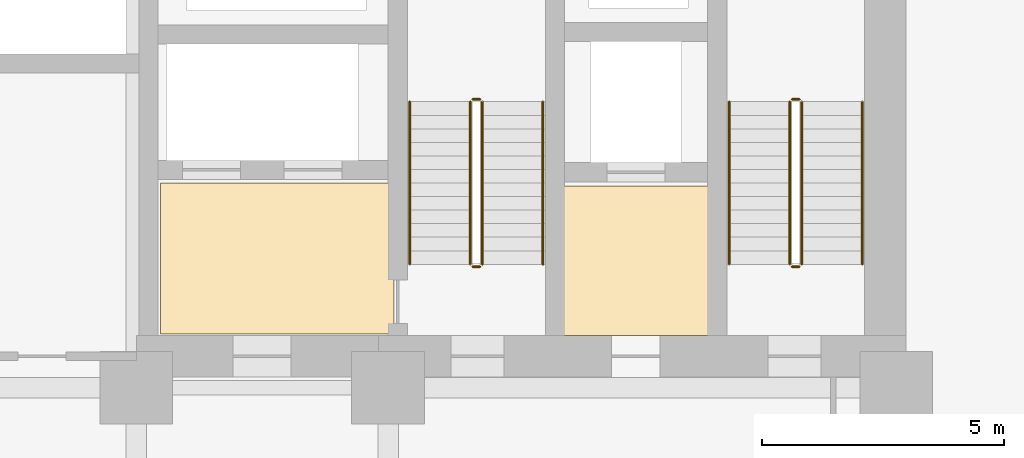
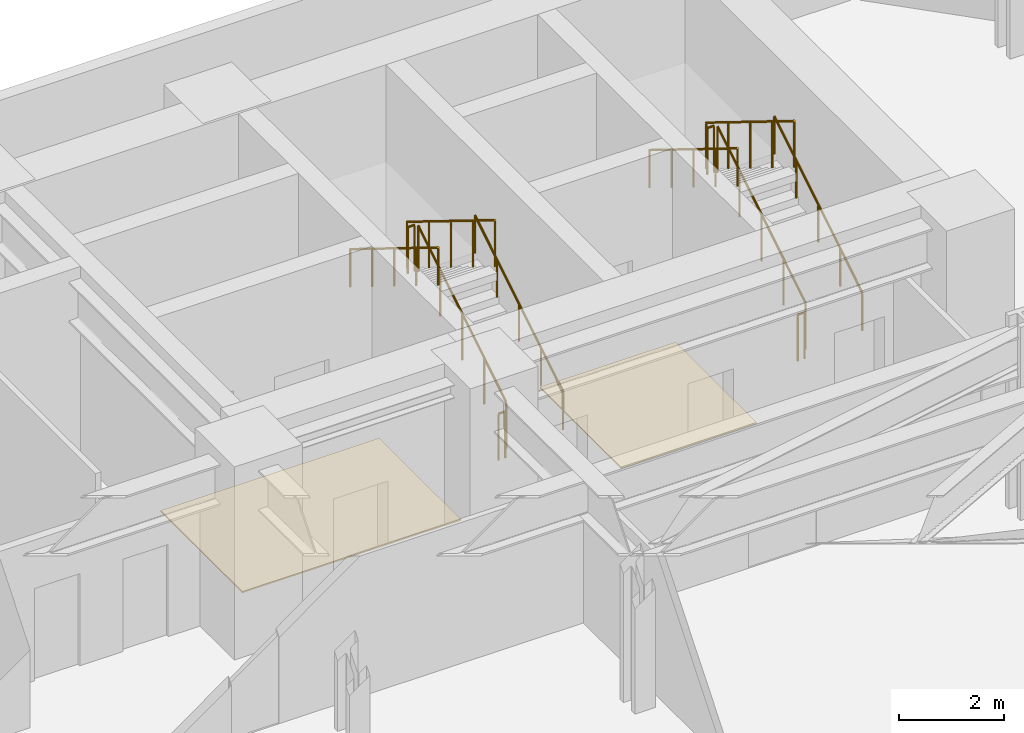
# One storey, part 28 of 28: 12 railings, 2 coverings.
"""IFC4 building model written with IfcOpenShell, lengths in metres."""

from ifc_helpers import new_model, si_unit, direction, frame, origin, origin_2d, place, context, subcontext, project, spatial, polyline, circle, outline, extrude, material, layer, layer_set, type_object, element, save


model = new_model("IFC4")

# Units and contexts
model_context = context("Model", 3, precision=1e-05, world=origin(), true_north=direction((0.0, 1.0)))
body_context = subcontext(model_context, "Body", "Model", "MODEL_VIEW")
ifc_project = project(units=[si_unit("LENGTHUNIT", "METRE"), si_unit("AREAUNIT", "SQUARE_METRE"), si_unit("VOLUMEUNIT", "CUBIC_METRE"), si_unit("PLANEANGLEUNIT", "RADIAN"), si_unit("MASSUNIT", "GRAM", prefix="KILO")], contexts=[model_context])

# Site, building, storey
site_placement = place(None, origin())
site = spatial("IfcSite", under=ifc_project, at=site_placement, CompositionType="ELEMENT")
building_placement = place(site_placement, origin())
building = spatial("IfcBuilding", under=site, at=building_placement, Name="Kravanh Interchange Tower", CompositionType="ELEMENT")
storey_placement = place(building_placement, frame((0.0, 0.0, 15.300048828125)))
storey = spatial("IfcBuildingStorey", under=building, at=storey_placement, Name="L03", CompositionType="ELEMENT", Elevation=15.300048828125)

# Coverings
ifc_material_1 = material(Name="Cementitious Terrazzo Tile")
ifc_layer_1 = layer(ifc_material_1, 0.030029296875)
ifc_layer_set_1 = layer_set([ifc_layer_1], Name="Honed Terrazzo Lobby Flooring 30mm")
covering_type = type_object("IfcCoveringType", Name="Honed Terrazzo Lobby Flooring 30mm", PredefinedType="FLOORING", material=ifc_layer_set_1)
covering_1_placement = place(storey_placement, origin())
element("IfcCovering", 1, at=covering_1_placement, inside=storey, type_object=covering_type, Name="L03 Service Lift Lobby Floor Finish", PredefinedType="FLOORING", context=body_context, shape_type="SweptSolid", body=[
    extrude(outline(polyline([(59.6298828125, 41.52001953125), (62.6201171875, 41.52001953125), (62.6201171875, 38.429931640625), (59.6298828125, 38.429931640625), (59.6298828125, 41.52001953125)])), origin(), (0.0, 0.0, 1.0), 0.030029296875),
])
covering_2_placement = place(storey_placement, origin())
element("IfcCovering", 2, at=covering_2_placement, inside=storey, type_object=covering_type, Name="L03 Firefighting Lobby Floor Finish", PredefinedType="FLOORING", context=body_context, shape_type="SweptSolid", body=[
    extrude(outline(polyline([(56.1201171875, 38.4599609375), (51.300048828125, 38.4599609375), (51.300048828125, 41.580078125), (56.1201171875, 41.580078125), (56.1201171875, 38.4599609375)])), origin(), (0.0, 0.0, 1.0), 0.030029296875),
])

# Railings
ifc_material_2 = material(Name="Structural Steel S355", Category="steel")
ifc_layer_2 = layer(ifc_material_2, 0.050048828125)
ifc_layer_set_2 = layer_set([ifc_layer_2], Name="Stair Well Guardrail Structural Steel S355 1100mm")
railing_type_1 = type_object("IfcRailingType", Name="Stair Well Guardrail Structural Steel S355 1100mm", PredefinedType="GUARDRAIL", material=ifc_layer_set_2)
railing_1_placement = place(storey_placement, frame((64.550048828125, 39.89990234375, 0.173095703125)))
element("IfcRailing", 3, at=railing_1_placement, inside=storey, type_object=railing_type_1, Name="L03 ST1 stair guard 1", PredefinedType="GUARDRAIL", context=body_context, shape_type="SweptSolid", body=[
    extrude(circle(Radius=0.02392578125, at=origin_2d()), frame((0.0, 0.0, 1.076171875), z_axis=(0.0, 0.850623216509, 0.525775754039), x_axis=(-1.0, 0.0, 0.0)), (0.0, 0.0, 1.0), 3.9501953125),
    extrude(circle(Radius=0.02099609375, at=origin_2d()), origin(), (0.0, 0.0, 1.0), 1.052001953125),
    extrude(circle(Radius=0.02099609375, at=origin_2d()), frame((0.0, 0.840087890625, 0.519287109375)), (0.0, 0.0, 1.0), 1.052001953125),
    extrude(circle(Radius=0.02099609375, at=origin_2d()), frame((0.0, 1.68017578125, 1.03857421875)), (0.0, 0.0, 1.0), 1.052001953125),
    extrude(circle(Radius=0.02099609375, at=origin_2d()), frame((0.0, 2.52001953125, 1.5576171875)), (0.0, 0.0, 1.0), 1.052001953125),
    extrude(circle(Radius=0.02099609375, at=origin_2d()), frame((0.0, 3.360107421875, 2.076904296875)), (0.0, 0.0, 1.0), 1.052001953125),
])
railing_2_placement = place(storey_placement, frame((64.5, 43.31005859375, 2.25)))
element("IfcRailing", 4, at=railing_2_placement, inside=storey, type_object=railing_type_1, Name="L03 ST1 stair guard 2", PredefinedType="GUARDRAIL", context=body_context, shape_type="SweptSolid", body=[
    extrude(circle(Radius=0.02392578125, at=origin_2d()), frame((0.0, 0.0, 1.076171875), z_axis=(-1.0, 0.0, 0.0), x_axis=(0.0, -1.0, 0.0)), (0.0, 0.0, 1.0), 0.14990234375),
    extrude(circle(Radius=0.02099609375, at=origin_2d()), origin(), (0.0, 0.0, 1.0), 1.052001953125),
    extrude(circle(Radius=0.02099609375, at=origin_2d()), frame((-0.14990234375, 0.0, 0.0)), (0.0, 0.0, 1.0), 1.052001953125),
])
railing_3_placement = place(storey_placement, frame((64.300048828125, 43.260009765625, 2.423095703125)))
element("IfcRailing", 5, at=railing_3_placement, inside=storey, type_object=railing_type_1, Name="L03 ST1 stair guard 3", PredefinedType="GUARDRAIL", context=body_context, shape_type="SweptSolid", body=[
    extrude(circle(Radius=0.02392578125, at=origin_2d()), frame((0.0, 0.0, 1.076171875), z_axis=(0.0, -0.850623216509, 0.525775754039), x_axis=(1.0, 0.0, 0.0)), (0.0, 0.0, 1.0), 3.9501953125),
    extrude(circle(Radius=0.02099609375, at=origin_2d()), origin(), (0.0, 0.0, 1.0), 1.052001953125),
    extrude(circle(Radius=0.02099609375, at=origin_2d()), frame((0.0, -0.840087890625, 0.519287109375)), (0.0, 0.0, 1.0), 1.052001953125),
    extrude(circle(Radius=0.02099609375, at=origin_2d()), frame((0.0, -1.68017578125, 1.03857421875)), (0.0, 0.0, 1.0), 1.052001953125),
    extrude(circle(Radius=0.02099609375, at=origin_2d()), frame((0.0, -2.52001953125, 1.5576171875)), (0.0, 0.0, 1.0), 1.052001953125),
    extrude(circle(Radius=0.02099609375, at=origin_2d()), frame((0.0, -3.360107421875, 2.076904296875)), (0.0, 0.0, 1.0), 1.052001953125),
])
railing_4_placement = place(storey_placement, frame((64.5, 39.85009765625, 0.0)))
element("IfcRailing", 6, at=railing_4_placement, inside=storey, type_object=railing_type_1, Name="L03 ST1 stair guard 4", PredefinedType="GUARDRAIL", context=body_context, shape_type="SweptSolid", body=[
    extrude(circle(Radius=0.02392578125, at=origin_2d()), frame((0.0, 0.0, 1.076171875), z_axis=(-1.0, 0.0, 0.0), x_axis=(0.0, -1.0, 0.0)), (0.0, 0.0, 1.0), 0.14990234375),
    extrude(circle(Radius=0.02099609375, at=origin_2d()), origin(), (0.0, 0.0, 1.0), 1.052001953125),
    extrude(circle(Radius=0.02099609375, at=origin_2d()), frame((-0.14990234375, 0.0, 0.0)), (0.0, 0.0, 1.0), 1.052001953125),
])
railing_5_placement = place(storey_placement, frame((57.949951171875, 39.89990234375, 0.173095703125)))
element("IfcRailing", 7, at=railing_5_placement, inside=storey, type_object=railing_type_1, Name="L03 ST2 stair guard 1", PredefinedType="GUARDRAIL", context=body_context, shape_type="SweptSolid", body=[
    extrude(circle(Radius=0.02392578125, at=origin_2d()), frame((0.0, 0.0, 1.076171875), z_axis=(0.0, 0.850623216509, 0.525775754039), x_axis=(-1.0, 0.0, 0.0)), (0.0, 0.0, 1.0), 3.9501953125),
    extrude(circle(Radius=0.02099609375, at=origin_2d()), origin(), (0.0, 0.0, 1.0), 1.052001953125),
    extrude(circle(Radius=0.02099609375, at=origin_2d()), frame((0.0, 0.840087890625, 0.519287109375)), (0.0, 0.0, 1.0), 1.052001953125),
    extrude(circle(Radius=0.02099609375, at=origin_2d()), frame((0.0, 1.68017578125, 1.03857421875)), (0.0, 0.0, 1.0), 1.052001953125),
    extrude(circle(Radius=0.02099609375, at=origin_2d()), frame((0.0, 2.52001953125, 1.5576171875)), (0.0, 0.0, 1.0), 1.052001953125),
    extrude(circle(Radius=0.02099609375, at=origin_2d()), frame((0.0, 3.360107421875, 2.076904296875)), (0.0, 0.0, 1.0), 1.052001953125),
])
railing_6_placement = place(storey_placement, frame((57.89990234375, 43.31005859375, 2.25)))
element("IfcRailing", 8, at=railing_6_placement, inside=storey, type_object=railing_type_1, Name="L03 ST2 stair guard 2", PredefinedType="GUARDRAIL", context=body_context, shape_type="SweptSolid", body=[
    extrude(circle(Radius=0.02392578125, at=origin_2d()), frame((0.0, 0.0, 1.076171875), z_axis=(-1.0, 0.0, 0.0), x_axis=(0.0, -1.0, 0.0)), (0.0, 0.0, 1.0), 0.14990234375),
    extrude(circle(Radius=0.02099609375, at=origin_2d()), origin(), (0.0, 0.0, 1.0), 1.052001953125),
    extrude(circle(Radius=0.02099609375, at=origin_2d()), frame((-0.14990234375, 0.0, 0.0)), (0.0, 0.0, 1.0), 1.052001953125),
])
railing_7_placement = place(storey_placement, frame((57.699951171875, 43.260009765625, 2.423095703125)))
element("IfcRailing", 9, at=railing_7_placement, inside=storey, type_object=railing_type_1, Name="L03 ST2 stair guard 3", PredefinedType="GUARDRAIL", context=body_context, shape_type="SweptSolid", body=[
    extrude(circle(Radius=0.02392578125, at=origin_2d()), frame((0.0, 0.0, 1.076171875), z_axis=(0.0, -0.850623216509, 0.525775754039), x_axis=(1.0, 0.0, 0.0)), (0.0, 0.0, 1.0), 3.9501953125),
    extrude(circle(Radius=0.02099609375, at=origin_2d()), origin(), (0.0, 0.0, 1.0), 1.052001953125),
    extrude(circle(Radius=0.02099609375, at=origin_2d()), frame((0.0, -0.840087890625, 0.519287109375)), (0.0, 0.0, 1.0), 1.052001953125),
    extrude(circle(Radius=0.02099609375, at=origin_2d()), frame((0.0, -1.68017578125, 1.03857421875)), (0.0, 0.0, 1.0), 1.052001953125),
    extrude(circle(Radius=0.02099609375, at=origin_2d()), frame((0.0, -2.52001953125, 1.5576171875)), (0.0, 0.0, 1.0), 1.052001953125),
    extrude(circle(Radius=0.02099609375, at=origin_2d()), frame((0.0, -3.360107421875, 2.076904296875)), (0.0, 0.0, 1.0), 1.052001953125),
])
railing_8_placement = place(storey_placement, frame((57.89990234375, 39.85009765625, 0.0)))
element("IfcRailing", 10, at=railing_8_placement, inside=storey, type_object=railing_type_1, Name="L03 ST2 stair guard 4", PredefinedType="GUARDRAIL", context=body_context, shape_type="SweptSolid", body=[
    extrude(circle(Radius=0.02392578125, at=origin_2d()), frame((0.0, 0.0, 1.076171875), z_axis=(-1.0, 0.0, 0.0), x_axis=(0.0, -1.0, 0.0)), (0.0, 0.0, 1.0), 0.14990234375),
    extrude(circle(Radius=0.02099609375, at=origin_2d()), origin(), (0.0, 0.0, 1.0), 1.052001953125),
    extrude(circle(Radius=0.02099609375, at=origin_2d()), frame((-0.14990234375, 0.0, 0.0)), (0.0, 0.0, 1.0), 1.052001953125),
])
ifc_material_3 = material(Name="Stainless Steel 304", Category="steel")
ifc_layer_3 = layer(ifc_material_3, 0.044921875)
ifc_layer_set_3 = layer_set([ifc_layer_3], Name="Tubular Stair Handrail Stainless 304 900mm")
railing_type_2 = type_object("IfcRailingType", Name="Tubular Stair Handrail Stainless 304 900mm", PredefinedType="HANDRAIL", material=ifc_layer_set_3)
railing_9_placement = place(storey_placement, frame((65.800048828125, 39.89990234375, 0.173095703125)))
element("IfcRailing", 11, at=railing_9_placement, inside=storey, type_object=railing_type_2, Name="L03 ST1 stair handrail 1", PredefinedType="HANDRAIL", context=body_context, shape_type="SweptSolid", body=[
    extrude(circle(Radius=0.02392578125, at=origin_2d()), frame((0.0, 0.0, 0.8759765625), z_axis=(0.0, 0.850623216509, 0.525775754039), x_axis=(-1.0, 0.0, 0.0)), (0.0, 0.0, 1.0), 3.9501953125),
    extrude(circle(Radius=0.02099609375, at=origin_2d()), origin(), (0.0, 0.0, 1.0), 0.851806640625),
    extrude(circle(Radius=0.02099609375, at=origin_2d()), frame((0.0, 0.840087890625, 0.519287109375)), (0.0, 0.0, 1.0), 0.851806640625),
    extrude(circle(Radius=0.02099609375, at=origin_2d()), frame((0.0, 1.68017578125, 1.03857421875)), (0.0, 0.0, 1.0), 0.851806640625),
    extrude(circle(Radius=0.02099609375, at=origin_2d()), frame((0.0, 2.52001953125, 1.5576171875)), (0.0, 0.0, 1.0), 0.851806640625),
    extrude(circle(Radius=0.02099609375, at=origin_2d()), frame((0.0, 3.360107421875, 2.076904296875)), (0.0, 0.0, 1.0), 0.851806640625),
])
railing_10_placement = place(storey_placement, frame((63.050048828125, 43.260009765625, 2.423095703125)))
element("IfcRailing", 12, at=railing_10_placement, inside=storey, type_object=railing_type_2, Name="L03 ST1 stair handrail 2", PredefinedType="HANDRAIL", context=body_context, shape_type="SweptSolid", body=[
    extrude(circle(Radius=0.02392578125, at=origin_2d()), frame((0.0, 0.0, 0.8759765625), z_axis=(0.0, -0.850623216509, 0.525775754039), x_axis=(1.0, 0.0, 0.0)), (0.0, 0.0, 1.0), 3.9501953125),
    extrude(circle(Radius=0.02099609375, at=origin_2d()), origin(), (0.0, 0.0, 1.0), 0.851806640625),
    extrude(circle(Radius=0.02099609375, at=origin_2d()), frame((0.0, -0.840087890625, 0.519287109375)), (0.0, 0.0, 1.0), 0.851806640625),
    extrude(circle(Radius=0.02099609375, at=origin_2d()), frame((0.0, -1.68017578125, 1.03857421875)), (0.0, 0.0, 1.0), 0.851806640625),
    extrude(circle(Radius=0.02099609375, at=origin_2d()), frame((0.0, -2.52001953125, 1.5576171875)), (0.0, 0.0, 1.0), 0.851806640625),
    extrude(circle(Radius=0.02099609375, at=origin_2d()), frame((0.0, -3.360107421875, 2.076904296875)), (0.0, 0.0, 1.0), 0.851806640625),
])
railing_11_placement = place(storey_placement, frame((59.199951171875, 39.89990234375, 0.173095703125)))
element("IfcRailing", 13, at=railing_11_placement, inside=storey, type_object=railing_type_2, Name="L03 ST2 stair handrail 1", PredefinedType="HANDRAIL", context=body_context, shape_type="SweptSolid", body=[
    extrude(circle(Radius=0.02392578125, at=origin_2d()), frame((0.0, 0.0, 0.8759765625), z_axis=(0.0, 0.850623216509, 0.525775754039), x_axis=(-1.0, 0.0, 0.0)), (0.0, 0.0, 1.0), 3.9501953125),
    extrude(circle(Radius=0.02099609375, at=origin_2d()), origin(), (0.0, 0.0, 1.0), 0.851806640625),
    extrude(circle(Radius=0.02099609375, at=origin_2d()), frame((0.0, 0.840087890625, 0.519287109375)), (0.0, 0.0, 1.0), 0.851806640625),
    extrude(circle(Radius=0.02099609375, at=origin_2d()), frame((0.0, 1.68017578125, 1.03857421875)), (0.0, 0.0, 1.0), 0.851806640625),
    extrude(circle(Radius=0.02099609375, at=origin_2d()), frame((0.0, 2.52001953125, 1.5576171875)), (0.0, 0.0, 1.0), 0.851806640625),
    extrude(circle(Radius=0.02099609375, at=origin_2d()), frame((0.0, 3.360107421875, 2.076904296875)), (0.0, 0.0, 1.0), 0.851806640625),
])
railing_12_placement = place(storey_placement, frame((56.449951171875, 43.260009765625, 2.423095703125)))
element("IfcRailing", 14, at=railing_12_placement, inside=storey, type_object=railing_type_2, Name="L03 ST2 stair handrail 2", PredefinedType="HANDRAIL", context=body_context, shape_type="SweptSolid", body=[
    extrude(circle(Radius=0.02392578125, at=origin_2d()), frame((0.0, 0.0, 0.8759765625), z_axis=(0.0, -0.850623216509, 0.525775754039), x_axis=(1.0, 0.0, 0.0)), (0.0, 0.0, 1.0), 3.9501953125),
    extrude(circle(Radius=0.02099609375, at=origin_2d()), origin(), (0.0, 0.0, 1.0), 0.851806640625),
    extrude(circle(Radius=0.02099609375, at=origin_2d()), frame((0.0, -0.840087890625, 0.519287109375)), (0.0, 0.0, 1.0), 0.851806640625),
    extrude(circle(Radius=0.02099609375, at=origin_2d()), frame((0.0, -1.68017578125, 1.03857421875)), (0.0, 0.0, 1.0), 0.851806640625),
    extrude(circle(Radius=0.02099609375, at=origin_2d()), frame((0.0, -2.52001953125, 1.5576171875)), (0.0, 0.0, 1.0), 0.851806640625),
    extrude(circle(Radius=0.02099609375, at=origin_2d()), frame((0.0, -3.360107421875, 2.076904296875)), (0.0, 0.0, 1.0), 0.851806640625),
])

save(model, "model.ifc")
